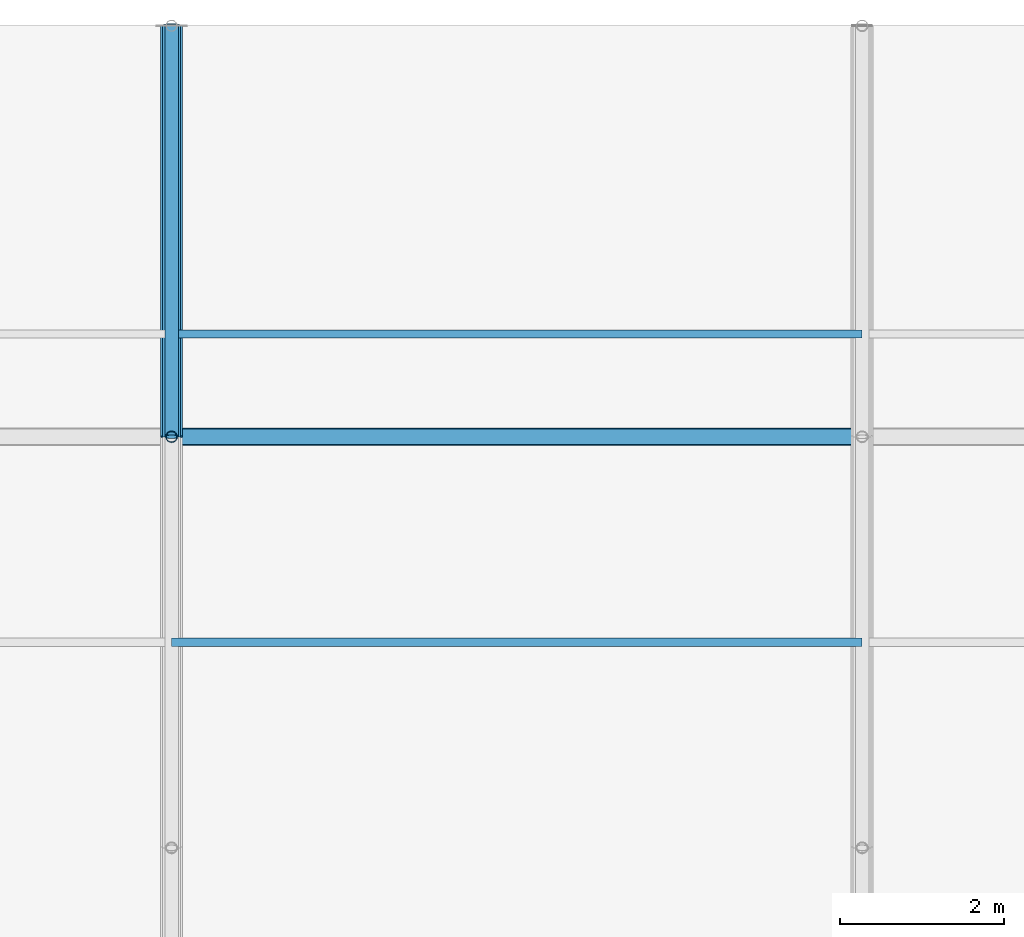
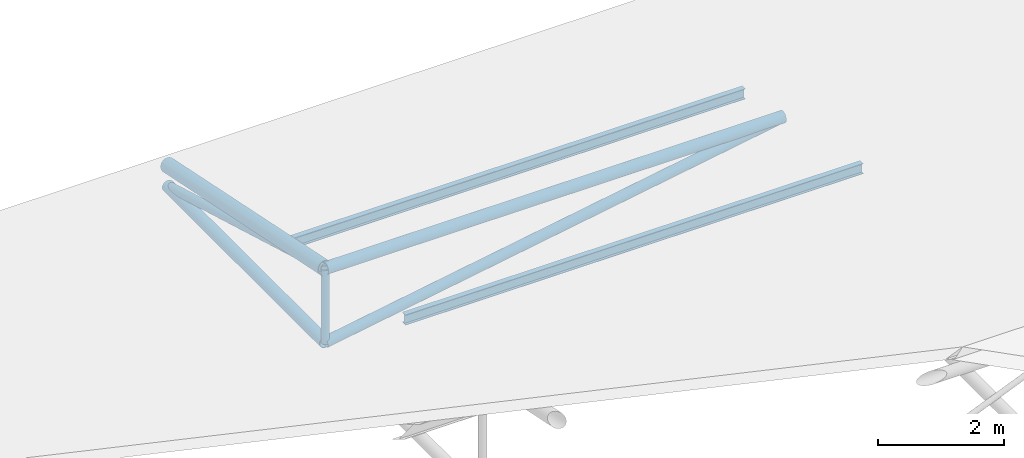
# One storey, part 96 of 194: 6 members, 2 beams.
"""IFC4 building model written with IfcOpenShell, lengths in metres."""

from ifc_helpers import new_model, si_unit, direction, frame, origin, origin_2d, place, context, subcontext, project, spatial, hollow_circle, i_section, extrude, material, material_profile, profile_set, type_object, element, save


model = new_model("IFC4")

# Units and contexts
model_context = context("Model", 3, precision=1e-05, world=origin(), true_north=direction((0.0, 1.0)))
body_context = subcontext(model_context, "Body", "Model", "MODEL_VIEW")
ifc_project = project(units=[si_unit("LENGTHUNIT", "METRE"), si_unit("AREAUNIT", "SQUARE_METRE"), si_unit("VOLUMEUNIT", "CUBIC_METRE"), si_unit("PLANEANGLEUNIT", "RADIAN"), si_unit("MASSUNIT", "GRAM", prefix="KILO")], contexts=[model_context])

# Site, building, storey
site_placement = place(None, origin())
site = spatial("IfcSite", under=ifc_project, at=site_placement, CompositionType="ELEMENT")
building_placement = place(site_placement, origin())
building = spatial("IfcBuilding", under=site, at=building_placement, Name="Kazenagashi Tramway Depot", CompositionType="ELEMENT")
storey_placement = place(building_placement, frame((0.0, 0.0, 23.7)))
storey = spatial("IfcBuildingStorey", under=building, at=storey_placement, Name="ROOF", CompositionType="ELEMENT", Elevation=23.7)

# Beams
ifc_material_1 = material(Name="Steel SN400B", Category="steel")
ifc_material_profile_1 = material_profile(ifc_material_1, i_section(OverallWidth=0.1, OverallDepth=0.2, WebThickness=0.0055, FlangeThickness=0.008, at=origin_2d()), Name="H-200x100x5.5x8")
ifc_profile_set_1 = profile_set([ifc_material_profile_1], Name="Steel SN400B")
beam_type = type_object("IfcBeamType", Name="PR-01", PredefinedType="USERDEFINED", material=ifc_profile_set_1)
for number, where, z_axis, x_axis, name in (
    (1, (137.2, 122.5, -12.13), (1.0, 0.0, 0.0), (0.0, 1.0, 0.0), "Beam PR-01 BM-2209"),
    (2, (137.2, 126.25, -12.955), (1.0, 0.0, 0.0), (0.0, 1.0, 0.0), "Beam PR-01 BM-2227"),
):
    element("IfcBeam", number, at=place(storey_placement, frame(where, z_axis=z_axis, x_axis=x_axis)), inside=storey, type_object=beam_type, Name=name, ObjectType="PURLIN", PredefinedType="USERDEFINED", context=body_context, shape_type="SweptSolid", body=[
        extrude(i_section(OverallWidth=0.1, OverallDepth=0.2, WebThickness=0.0055, FlangeThickness=0.008, at=origin_2d()), origin(), (0.0, 0.0, 1.0), 8.4),
    ])

# Members
ifc_material_2 = material(Name="Steel STK490", Category="steel")
ifc_material_profile_2 = material_profile(ifc_material_2, hollow_circle(Radius=0.1337, WallThickness=0.0093, at=origin_2d()), Name="CHS-267.4x9.3")
ifc_profile_set_2 = profile_set([ifc_material_profile_2], Name="Steel STK490")
member_type_1 = type_object("IfcMemberType", Name="TC-01", PredefinedType="CHORD", material=ifc_profile_set_2)
member_1_placement = place(storey_placement, frame((137.2, 125.0, -12.667), z_axis=(0.0, 0.979317999984, -0.202327098797), x_axis=(-1.0, 0.0, 0.0)))
element("IfcMember", 3, at=member_1_placement, inside=storey, type_object=member_type_1, Name="Tubular Space Frame TC-01 MEM-0718", PredefinedType="CHORD", context=body_context, shape_type="SweptSolid", body=[
    extrude(hollow_circle(Radius=0.1337, WallThickness=0.0093, at=origin_2d()), origin(), (0.0, 0.0, 1.0), 5.105594),
])
ifc_material_profile_3 = material_profile(ifc_material_2, hollow_circle(Radius=0.10815, WallThickness=0.0082, at=origin_2d()), Name="CHS-216.3x8.2")
ifc_profile_set_3 = profile_set([ifc_material_profile_3], Name="Steel STK490")
member_type_2 = type_object("IfcMemberType", Name="TC-02", PredefinedType="CHORD", material=ifc_profile_set_3)
member_2_placement = place(storey_placement, frame((137.2, 125.0, -14.1), z_axis=(0.0, 1.0, 0.0), x_axis=(-1.0, 0.0, 0.0)))
element("IfcMember", 4, at=member_2_placement, inside=storey, type_object=member_type_2, Name="Tubular Space Frame TC-02 MEM-0719", PredefinedType="CHORD", context=body_context, shape_type="SweptSolid", body=[
    extrude(hollow_circle(Radius=0.10815, WallThickness=0.0082, at=origin_2d()), origin(), (0.0, 0.0, 1.0), 5.0),
])
member_3_placement = place(storey_placement, frame((137.2, 125.0, -12.667), z_axis=(1.0, 0.0, 0.0), x_axis=(0.0, 1.0, 0.0)))
element("IfcMember", 5, at=member_3_placement, inside=storey, type_object=member_type_2, Name="Tubular Space Frame TC-02 MEM-0731", PredefinedType="CHORD", context=body_context, shape_type="SweptSolid", body=[
    extrude(hollow_circle(Radius=0.10815, WallThickness=0.0082, at=origin_2d()), origin(), (0.0, 0.0, 1.0), 8.4),
])
ifc_material_profile_4 = material_profile(ifc_material_2, hollow_circle(Radius=0.0826, WallThickness=0.0071, at=origin_2d()), Name="CHS-165.2x7.1")
ifc_profile_set_4 = profile_set([ifc_material_profile_4], Name="Steel STK490")
member_type_3 = type_object("IfcMemberType", Name="TS-01", PredefinedType="STRUT", material=ifc_profile_set_4)
member_4_placement = place(storey_placement, frame((137.2, 125.0, -12.667), z_axis=(0.0, 0.961298717795, -0.27550821252), x_axis=(-1.0, 0.0, 0.0)))
element("IfcMember", 6, at=member_4_placement, inside=storey, type_object=member_type_3, Name="Tubular Space Frame TS-01 MEM-0720", PredefinedType="STRUT", context=body_context, shape_type="SweptSolid", body=[
    extrude(hollow_circle(Radius=0.0826, WallThickness=0.0071, at=origin_2d()), origin(), (0.0, 0.0, 1.0), 5.201297),
])
ifc_material_profile_5 = material_profile(ifc_material_2, hollow_circle(Radius=0.0699, WallThickness=0.0066, at=origin_2d()), Name="CHS-139.8x6.6")
ifc_profile_set_5 = profile_set([ifc_material_profile_5], Name="Steel STK490")
member_type_4 = type_object("IfcMemberType", Name="TS-02", PredefinedType="STRUT", material=ifc_profile_set_5)
member_5_placement = place(storey_placement, frame((137.2, 125.0, -14.1), z_axis=(0.0, 0.0, 1.0), x_axis=(1.0, 0.0, 0.0)))
element("IfcMember", 7, at=member_5_placement, inside=storey, type_object=member_type_4, Name="Tubular Space Frame TS-02 MEM-0725", PredefinedType="STRUT", context=body_context, shape_type="SweptSolid", body=[
    extrude(hollow_circle(Radius=0.0699, WallThickness=0.0066, at=origin_2d()), origin(), (0.0, 0.0, 1.0), 1.433),
])
ifc_material_profile_6 = material_profile(ifc_material_2, hollow_circle(Radius=0.09535, WallThickness=0.007, at=origin_2d()), Name="CHS-190.7x7.0")
ifc_profile_set_6 = profile_set([ifc_material_profile_6], Name="Steel STK490")
member_type_5 = type_object("IfcMemberType", Name="TS-05", PredefinedType="STRUT", material=ifc_profile_set_6)
member_6_placement = place(storey_placement, frame((137.2, 125.0, -14.1), z_axis=(0.985758734117, 0.0, 0.168165745951), x_axis=(0.0, 1.0, 0.0)))
element("IfcMember", 8, at=member_6_placement, inside=storey, type_object=member_type_5, Name="Tubular Space Frame TS-05 MEM-0732", PredefinedType="STRUT", context=body_context, shape_type="SweptSolid", body=[
    extrude(hollow_circle(Radius=0.09535, WallThickness=0.007, at=origin_2d()), origin(), (0.0, 0.0, 1.0), 8.521355),
])

save(model, "model.ifc")
